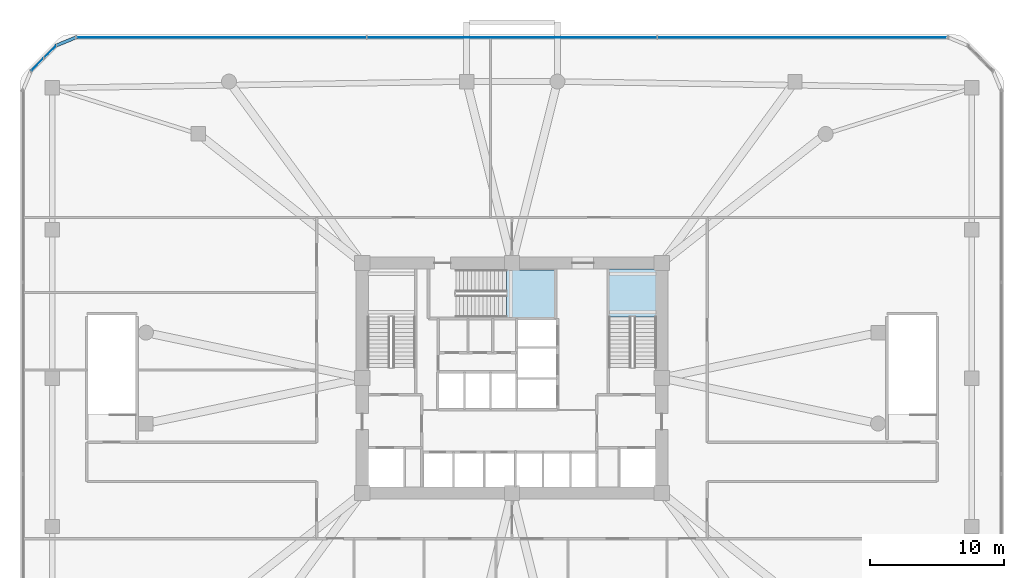
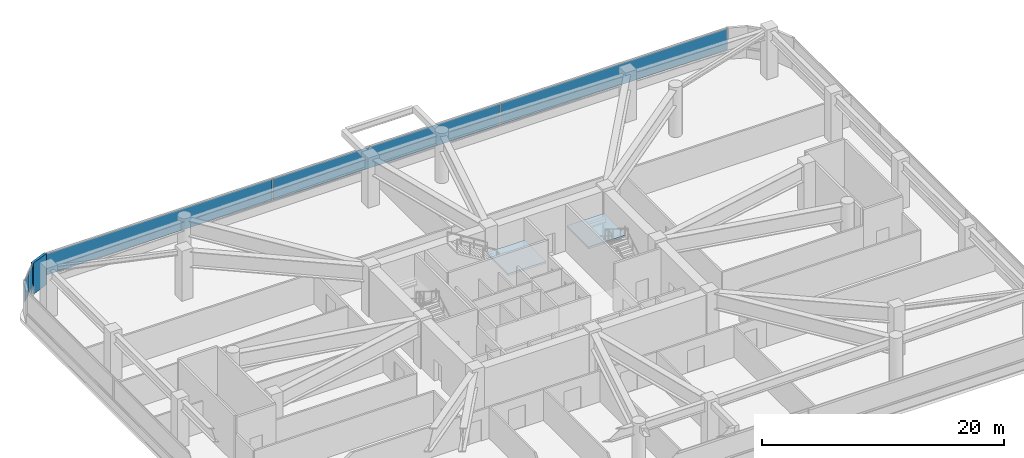
# One storey, part 14 of 21: 6 plates, 2 slabs, 4 elements without a shape of their own.
"""IFC4 building model written with IfcOpenShell, lengths in metres."""

from ifc_helpers import new_model, si_unit, derived_unit, direction, frame, origin, origin_2d, place, context, subcontext, project, spatial, polyline, rectangle, outline, extrude, material, layer, layer_set, type_object, element, aggregate, save


model = new_model("IFC4")

# Units and contexts
model_context = context("Model", 3, precision=1e-05, world=origin(), true_north=direction((0.0, 1.0)))
body_context = subcontext(model_context, "Body", "Model", "MODEL_VIEW")
ifc_project = project(units=[si_unit("LENGTHUNIT", "METRE"), si_unit("AREAUNIT", "SQUARE_METRE"), si_unit("VOLUMEUNIT", "CUBIC_METRE"), si_unit("PLANEANGLEUNIT", "RADIAN"), si_unit("MASSUNIT", "GRAM", prefix="KILO"), derived_unit("THERMALTRANSMITTANCEUNIT", [(si_unit("POWERUNIT", "WATT"), 1), (si_unit("LENGTHUNIT", "METRE"), -2), (si_unit("THERMODYNAMICTEMPERATUREUNIT", "KELVIN"), -1)])], contexts=[model_context])

# Site, building, storey
site_placement = place(None, origin())
site = spatial("IfcSite", under=ifc_project, at=site_placement, CompositionType="ELEMENT")
building_placement = place(site_placement, origin())
building = spatial("IfcBuilding", under=site, at=building_placement, Name="Koralith Skygarden Medical Center", CompositionType="ELEMENT")
storey_placement = place(building_placement, frame((0.0, 0.0, 18.89990234375)))
storey = spatial("IfcBuildingStorey", under=building, at=storey_placement, Name="L04", CompositionType="ELEMENT", Elevation=18.89990234375)

# Curtain wall, plates
ifc_material_1 = material(Name="Clear Laminated Glass", Category="glass")
curtain_wall_type = type_object("IfcCurtainWallType", Name="CW-1 Transit & Podium Acoustic Curtain Wall", PredefinedType="NOTDEFINED", material=ifc_material_1)
curtain_wall_1_placement = place(storey_placement, origin())
curtain_wall_1 = element("IfcCurtainWall", 1, at=curtain_wall_1_placement, inside=storey, type_object=curtain_wall_type, Name="Curtain Wall CW-L04-N", PredefinedType="NOTDEFINED")
ifc_layer_1 = layer(ifc_material_1, 0.030029296875)
ifc_layer_set_1 = layer_set([ifc_layer_1], Name="Clear Laminated Glass")
plate_type_1 = type_object("IfcPlateType", Name="CW-1 Hurricane Laminated IGU Panel 30", PredefinedType="CURTAIN_PANEL", material=ifc_layer_set_1)
plate_1_placement = place(storey_placement, frame((58.7470703125, 51.3798828125, 0.919921875), z_axis=(0.0, 0.0, 1.0), x_axis=(-1.0, 0.0, 0.0)))
plate_1 = element("IfcPlate", 2, at=plate_1_placement, type_object=plate_type_1, Name="CW-L04-N Glazed Panel 1", PredefinedType="CURTAIN_PANEL", context=body_context, shape_type="SweptSolid", body=[
    extrude(rectangle(XDim=21.656982421875, YDim=0.030029296875, at=origin_2d()), origin(), (0.0, 0.0, 1.0), 2.159912109375),
])
plate_2_placement = place(storey_placement, frame((37.0, 51.3798828125, 0.919921875), z_axis=(0.0, 0.0, 1.0), x_axis=(-1.0, 0.0, 0.0)))
plate_2 = element("IfcPlate", 3, at=plate_2_placement, type_object=plate_type_1, Name="CW-L04-N Glazed Panel 2", PredefinedType="CURTAIN_PANEL", context=body_context, shape_type="SweptSolid", body=[
    extrude(rectangle(XDim=21.656982421875, YDim=0.030029296875, at=origin_2d()), origin(), (0.0, 0.0, 1.0), 2.159912109375),
])
plate_3_placement = place(storey_placement, frame((15.2529296875, 51.3798828125, 0.919921875), z_axis=(0.0, 0.0, 1.0), x_axis=(-1.0, 0.0, 0.0)))
plate_3 = element("IfcPlate", 4, at=plate_3_placement, type_object=plate_type_1, Name="CW-L04-N Glazed Panel 3", PredefinedType="CURTAIN_PANEL", context=body_context, shape_type="SweptSolid", body=[
    extrude(rectangle(XDim=21.656982421875, YDim=0.030029296875, at=origin_2d()), origin(), (0.0, 0.0, 1.0), 2.159912109375),
])
aggregate(curtain_wall_1, [plate_1, plate_2, plate_3])

curtain_wall_2_placement = place(storey_placement, origin())
curtain_wall_2 = element("IfcCurtainWall", 5, at=curtain_wall_2_placement, inside=storey, type_object=curtain_wall_type, Name="Curtain Wall CW-L04-NW", PredefinedType="NOTDEFINED")
plate_4_placement = place(storey_placement, frame((2.450927734375, 50.302001953125, 0.919921875), z_axis=(0.0, 0.0, 1.0), x_axis=(-0.707106781187, -0.707106781187, 0.0)))
plate_4 = element("IfcPlate", 6, at=plate_4_placement, type_object=plate_type_1, Name="CW-L04-NW Glazed Panel 1", PredefinedType="CURTAIN_PANEL", context=body_context, shape_type="SweptSolid", body=[
    extrude(rectangle(XDim=1.258056640625, YDim=0.030029296875, at=origin_2d()), origin(), (0.0, 0.0, 1.0), 2.159912109375),
])
plate_5_placement = place(storey_placement, frame((1.498046875, 49.34912109375, 0.919921875), z_axis=(0.0, 0.0, 1.0), x_axis=(-0.707106781187, -0.707106781187, 0.0)))
plate_5 = element("IfcPlate", 7, at=plate_5_placement, type_object=plate_type_1, Name="CW-L04-NW Glazed Panel 2", PredefinedType="CURTAIN_PANEL", context=body_context, shape_type="SweptSolid", body=[
    extrude(rectangle(XDim=1.258056640625, YDim=0.030029296875, at=origin_2d()), origin(), (0.0, 0.0, 1.0), 2.159912109375),
])
aggregate(curtain_wall_2, [plate_4, plate_5])

# Stair, slab
ifc_material_2 = material(Name="Concrete C45/55", Category="concrete")
stair_type = type_object("IfcStairType", Name="Core Exit Dogleg Concrete Stair", PredefinedType="HALF_TURN_STAIR", material=ifc_material_2)
stair_1_placement = place(storey_placement, origin())
stair_1 = element("IfcStair", 8, at=stair_1_placement, inside=storey, type_object=stair_type, Name="L04 Smokeproof Exit Stair ST2", PredefinedType="HALF_TURN_STAIR")
ifc_layer_2 = layer(ifc_material_2, 0.199951171875)
ifc_layer_set_2 = layer_set([ifc_layer_2], Name="Concrete C45/55")
slab_type = type_object("IfcSlabType", Name="Core Exit Concrete Stair Landing 200", PredefinedType="LANDING", material=ifc_layer_set_2)
slab_1_placement = place(storey_placement, frame((0.0, 0.0, 2.320068359375)))
slab_1 = element("IfcSlab", 9, at=slab_1_placement, type_object=slab_type, Name="ST2 landing 1", PredefinedType="LANDING", context=body_context, shape_type="SweptSolid", body=[
    extrude(outline(polyline([(47.800048828125, 30.469970703125), (47.800048828125, 34.050048828125), (44.25, 34.050048828125), (44.25, 30.469970703125), (47.800048828125, 30.469970703125)])), origin(), (0.0, 0.0, 1.0), 0.199951171875),
])
aggregate(stair_1, [slab_1])

stair_2_placement = place(storey_placement, origin())
stair_2 = element("IfcStair", 10, at=stair_2_placement, inside=storey, type_object=stair_type, Name="L04 Smokeproof Exit Stair ST3", PredefinedType="HALF_TURN_STAIR")
slab_2_placement = place(storey_placement, frame((0.0, 0.0, 2.320068359375)))
slab_2 = element("IfcSlab", 11, at=slab_2_placement, type_object=slab_type, Name="ST3 landing 1", PredefinedType="LANDING", context=body_context, shape_type="SweptSolid", body=[
    extrude(outline(polyline([(36.570068359375, 30.449951171875), (40.199951171875, 30.449951171875), (40.199951171875, 34.0), (36.570068359375, 34.0), (36.570068359375, 30.449951171875)])), origin(), (0.0, 0.0, 1.0), 0.199951171875),
])
aggregate(stair_2, [slab_2])

# Plate
ifc_material_3 = material(Name="Warm Oolitic Limestone Cladding", Category="masonry")
ifc_layer_3 = layer(ifc_material_3, 0.239990234375)
ifc_layer_set_3 = layer_set([ifc_layer_3], Name="Warm Oolitic Limestone Cladding")
plate_type_2 = type_object("IfcPlateType", Name="Rounded-Corner Oolitic Limestone Cladding Panel 240", PredefinedType="USERDEFINED", material=ifc_layer_set_3)
plate_6_placement = place(storey_placement, frame((3.653076171875, 51.080078125, 0.000244140625), z_axis=(0.0, 0.0, 1.0), x_axis=(-0.92388487569, -0.382670532536, 0.0)))
element("IfcPlate", 12, at=plate_6_placement, inside=storey, type_object=plate_type_2, Name="L04 Rounded-Corner Limestone Pier 5", ObjectType="LIMESTONE CLADDING", PredefinedType="USERDEFINED", context=body_context, shape_type="SweptSolid", body=[
    extrude(rectangle(XDim=1.81103515625, YDim=0.239990234375, at=origin_2d()), origin(), (0.0, 0.0, 1.0), 3.14990234375),
])

save(model, "model.ifc")
